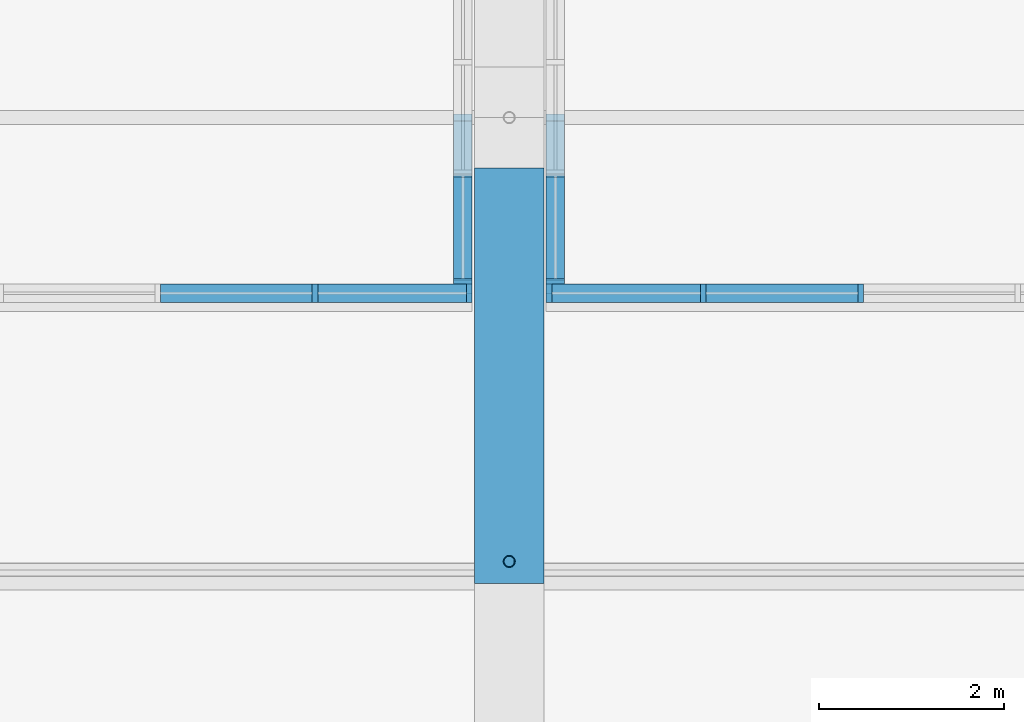
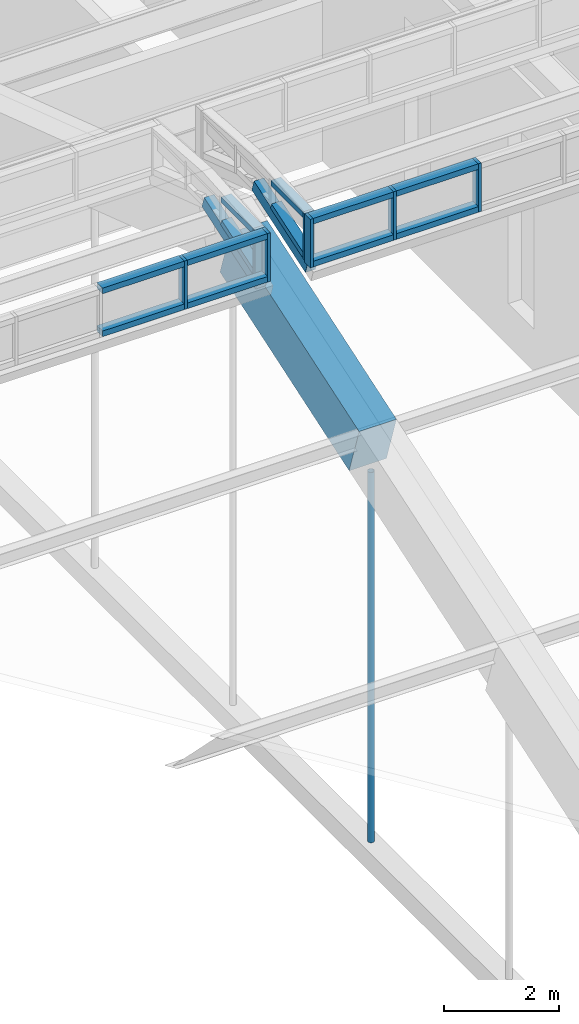
# One storey, part 75 of 149: 22 members, 1 beam, 4 elements without a shape of their own.
"""IFC4 building model written with IfcOpenShell, lengths in metres."""

import ifcopenshell
import ifcopenshell.guid

model = None  # the IFC model being written
_history = None  # IfcOwnerHistory: only IFC2X3 demands one
_inside = {}  # id of a spatial element -> (the spatial element, [elements in it])
_under = {}  # id of a project, library or spatial element -> (it, [spatial elements below it])
_declared = {}  # id of a project -> (the project, [libraries it declares])
_typed = {}  # id of a type object -> (the type object, [elements of that type])
_made_of = {}  # id of a material, layer set ... -> (it, [elements and type objects made of it])


def new_model(schema):
    """Start an empty IFC model of exactly this schema.

    Asked for "IFC4X3", IfcOpenShell would pick the latest addendum, in which some entities
    have other attributes; the version numbers below select the first issue.
    IFC2X3 requires an IfcOwnerHistory on every rooted entity: one is made here for all.
    """
    global model, _history
    if schema == "IFC4X3":
        model = ifcopenshell.file(schema_version=(4, 3, 0, 0))
    else:
        model = ifcopenshell.file(schema=schema)
    _inside.clear()
    _under.clear()
    _declared.clear()
    _typed.clear()
    _made_of.clear()
    _history = None
    if model.schema == "IFC2X3":
        org = make("IfcOrganization", Name="unknown")
        user = make(
            "IfcPersonAndOrganization",
            ThePerson=make("IfcPerson", FamilyName="unknown"),
            TheOrganization=org,
        )
        app = make(
            "IfcApplication",
            ApplicationDeveloper=org,
            Version="unknown",
            ApplicationFullName="unknown",
            ApplicationIdentifier="unknown",
        )
        _history = make(
            "IfcOwnerHistory",
            OwningUser=user,
            OwningApplication=app,
            ChangeAction="ADDED",
            CreationDate=0,
        )
    return model


def make(cls, **values):
    """One entity of the class cls with the attributes given. An attribute that is None is left unset."""
    return model.create_entity(
        cls, **{name: value for name, value in values.items() if value is not None}
    )


def rooted(cls, **values):
    """An entity with a GlobalId (a new one), such as an element, a storey or a relation."""
    return make(cls, GlobalId=ifcopenshell.guid.new(), OwnerHistory=_history, **values)


def si_unit(unit_type, name, prefix=None):
    """IfcSIUnit, for example si_unit("LENGTHUNIT", "METRE", prefix="MILLI")."""
    return make("IfcSIUnit", UnitType=unit_type, Prefix=prefix, Name=name)


def assignment(units):
    """IfcUnitAssignment: the units of a project."""
    return None if units is None else make("IfcUnitAssignment", Units=units)


def point(xyz):
    """IfcCartesianPoint."""
    return None if xyz is None else make("IfcCartesianPoint", Coordinates=xyz)


def direction(xyz):
    """IfcDirection."""
    return None if xyz is None else make("IfcDirection", DirectionRatios=xyz)


def frame(location, z_axis=None, x_axis=None):
    """IfcAxis2Placement3D, a coordinate frame: its origin and axes. An axis left out is left unset."""
    return make(
        "IfcAxis2Placement3D",
        Location=point(location),
        Axis=direction(z_axis),
        RefDirection=direction(x_axis),
    )


def frame_2d(location, x_axis=None):
    """IfcAxis2Placement2D, a coordinate frame in the plane: its origin and x axis."""
    return make(
        "IfcAxis2Placement2D", Location=point(location), RefDirection=direction(x_axis)
    )


def origin():
    """The frame at (0, 0, 0) with its axes left unset."""
    return frame((0.0, 0.0, 0.0))


def origin_2d():
    """The frame at (0, 0) in the plane with its x axis left unset."""
    return frame_2d((0.0, 0.0))


def place(relative_to, where):
    """IfcLocalPlacement: puts the frame where relative to a parent placement (None: the world)."""
    return make(
        "IfcLocalPlacement", PlacementRelTo=relative_to, RelativePlacement=where
    )


def context(
    kind, dimensions, precision=None, world=None, true_north=None, identifier=None
):
    """IfcGeometricRepresentationContext, for example the 3D "Model" context."""
    return make(
        "IfcGeometricRepresentationContext",
        ContextIdentifier=identifier,
        ContextType=kind,
        CoordinateSpaceDimension=dimensions,
        Precision=precision,
        WorldCoordinateSystem=world,
        TrueNorth=true_north,
    )


def subcontext(parent, identifier, kind, view, scale=None):
    """IfcGeometricRepresentationSubContext, for example "Body" below "Model"."""
    return make(
        "IfcGeometricRepresentationSubContext",
        ContextIdentifier=identifier,
        ContextType=kind,
        ParentContext=parent,
        TargetScale=scale,
        TargetView=view,
    )


def project(units=None, contexts=None):
    """IfcProject with its units and contexts."""
    return rooted(
        "IfcProject",
        Name="project",
        RepresentationContexts=contexts,
        UnitsInContext=assignment(units),
    )


def spatial(cls, under=None, at=None, **own):
    """A site, building, storey or space (cls), placed at a placement, below another one or the project."""
    s = rooted(cls, ObjectPlacement=at, **own)
    if under is not None:
        _under.setdefault(under.id(), (under, []))[1].append(s)
    return s


def profile(cls, at=None, kind="AREA", **sizes):
    """A parametric profile (cls). Its sizes go by their IFC names, for example OverallWidth=200.0."""
    return make(cls, ProfileType=kind, Position=at, **sizes)


def rectangle(**sizes):
    """IfcRectangleProfileDef."""
    return profile("IfcRectangleProfileDef", **sizes)


def hollow_circle(**sizes):
    """IfcCircleHollowProfileDef."""
    return profile("IfcCircleHollowProfileDef", **sizes)


def extrude(swept, where, along, depth):
    """IfcExtrudedAreaSolid: the profile swept, set in the frame where, extruded along a direction by depth."""
    return make(
        "IfcExtrudedAreaSolid",
        SweptArea=swept,
        Position=where,
        ExtrudedDirection=direction(along),
        Depth=depth,
    )


def shape(context_of_items, identifier, shape_type, items):
    """IfcShapeRepresentation: the items that make up one representation, for example the "Body"."""
    return make(
        "IfcShapeRepresentation",
        ContextOfItems=context_of_items,
        RepresentationIdentifier=identifier,
        RepresentationType=shape_type,
        Items=items,
    )


def material(Name=None, Category=None):
    """IfcMaterial."""
    return make("IfcMaterial", Name=Name, Category=Category)


def material_profile(
    of_material, cross_section, Name=None, Category=None, Priority=None
):
    """IfcMaterialProfile: a cross section and its material."""
    return make(
        "IfcMaterialProfile",
        Name=Name,
        Material=of_material,
        Profile=cross_section,
        Priority=Priority,
        Category=Category,
    )


def profile_set(profiles, Name=None, composite=None):
    """IfcMaterialProfileSet."""
    return make(
        "IfcMaterialProfileSet",
        Name=Name,
        MaterialProfiles=profiles,
        CompositeProfile=composite,
    )


def made_of(thing, what):
    """Note that an element or type object is made of a material, layer set ...; save() writes the relation."""
    if what is not None:
        _made_of.setdefault(what.id(), (what, []))[1].append(thing)
    return thing


def type_object(cls, material=None, **own):
    """A type object (cls), such as IfcWallType, which elements share."""
    return made_of(rooted(cls, **own), material)


def element(
    cls,
    number,
    at=None,
    inside=None,
    cuts=None,
    type_object=None,
    material=None,
    context=None,
    identifier="Body",
    shape_type=None,
    held_by="IfcProductDefinitionShape",
    body=None,
    shapes=None,
    **own,
):
    """One element of the class cls, such as IfcWall. Its Tag is "e" and its number.

    at: its placement. inside: the storey or other place that contains it. cuts: it is an
    opening in that element (IfcRelVoidsElement). A single representation is given by context,
    identifier, shape_type and body (its items); several are given by shapes. held_by: the class
    of the entity that holds the representations. save() writes the other relations.
    """
    e = rooted(cls, Tag="e%d" % number, ObjectPlacement=at, **own)
    if body is not None:
        shapes = [shape(context, identifier, shape_type, body)]
    if shapes is not None:
        e.Representation = make(held_by, Representations=shapes)
    if inside is not None:
        _inside.setdefault(inside.id(), (inside, []))[1].append(e)
    if cuts is not None:
        rooted(
            "IfcRelVoidsElement", RelatingBuildingElement=cuts, RelatedOpeningElement=e
        )
    if type_object is not None:
        _typed.setdefault(type_object.id(), (type_object, []))[1].append(e)
    return made_of(e, material)


def aggregate(whole, parts):
    """IfcRelAggregates: a whole, such as a stair, and the parts it consists of."""
    return rooted("IfcRelAggregates", RelatingObject=whole, RelatedObjects=parts)


def save(model, path):
    """Write the relations noted so far, then the file.

    IfcRelAggregates (storeys below a building ...), IfcRelContainedInSpatialStructure (elements
    in a storey), IfcRelDefinesByType, IfcRelAssociatesMaterial and IfcRelDeclares: one each for
    every whole, place, type object, material and project.
    """
    for whole, parts in _under.values():
        aggregate(whole, parts)
    for where, things in _inside.values():
        rooted(
            "IfcRelContainedInSpatialStructure",
            RelatedElements=things,
            RelatingStructure=where,
        )
    for kind, things in _typed.values():
        rooted("IfcRelDefinesByType", RelatedObjects=things, RelatingType=kind)
    for what, things in _made_of.values():
        rooted("IfcRelAssociatesMaterial", RelatedObjects=things, RelatingMaterial=what)
    for by, libraries in _declared.values():
        rooted("IfcRelDeclares", RelatingContext=by, RelatedDefinitions=libraries)
    model.write(path)


model = new_model("IFC4")

# Units and contexts
model_context = context("Model", 3, precision=1e-05, world=origin(), true_north=direction((0.0, 1.0)))
body_context = subcontext(model_context, "Body", "Model", "MODEL_VIEW")
ifc_project = project(units=[si_unit("LENGTHUNIT", "METRE"), si_unit("AREAUNIT", "SQUARE_METRE"), si_unit("VOLUMEUNIT", "CUBIC_METRE"), si_unit("PLANEANGLEUNIT", "RADIAN"), si_unit("MASSUNIT", "GRAM", prefix="KILO")], contexts=[model_context])

# Site, building, storey
site_placement = place(None, origin())
site = spatial("IfcSite", under=ifc_project, at=site_placement, CompositionType="ELEMENT")
building_placement = place(site_placement, origin())
building = spatial("IfcBuilding", under=site, at=building_placement, Name="Alderwick Market Hall", CompositionType="ELEMENT")
storey_placement = place(building_placement, frame((0.0, 0.0, 9.60009765625)))
storey = spatial("IfcBuildingStorey", under=building, at=storey_placement, Name="L01", CompositionType="ELEMENT", Elevation=9.60009765625)

# Beam
ifc_material_1 = material(Name="Concrete 5000 psi (f'c 35 MPa)", Category="concrete")
ifc_material_profile_1 = material_profile(ifc_material_1, rectangle(XDim=0.75, YDim=1.10009765625, at=origin_2d()), Name="RC 750x1100")
ifc_profile_set_1 = profile_set([ifc_material_profile_1], Name="Concrete 5000 psi (f'c 35 MPa)")
beam_type = type_object("IfcBeamType", Name="R Arch Rib Crown 750x1100", PredefinedType="BEAM", material=ifc_profile_set_1)
beam_placement = place(storey_placement, frame((136.800048828125, 74.336669921875, 14.78955078125), z_axis=(0.0, 0.948678138981, 0.316243242806), x_axis=(-1.0, 0.0, 0.0)))
element("IfcBeam", 1, at=beam_placement, inside=storey, type_object=beam_type, Name="Arch rib 7 chord 6", PredefinedType="BEAM", context=body_context, shape_type="SweptSolid", body=[
    extrude(rectangle(XDim=0.75, YDim=1.10009765625, at=origin_2d()), origin(), (0.0, 0.0, 1.0), 4.732421875),
])

# Curtain wall, members
ifc_material_2 = material(Name="Aluminium", Category="aluminium")
curtain_wall_type = type_object("IfcCurtainWallType", Name="R Curtain Wall Frame", PredefinedType="NOTDEFINED", material=ifc_material_2)
curtain_wall_1_placement = place(storey_placement, origin())
curtain_wall_1 = element("IfcCurtainWall", 2, at=curtain_wall_1_placement, inside=storey, type_object=curtain_wall_type, Name="Curtain wall LCW S6", PredefinedType="NOTDEFINED")
ifc_material_profile_2 = material_profile(ifc_material_2, rectangle(XDim=0.199951171875, YDim=0.06005859375, at=origin_2d()), Name="AL 60x200")
ifc_profile_set_2 = profile_set([ifc_material_profile_2], Name="Aluminium")
member_type_1 = type_object("IfcMemberType", Name="R CW Mullion 60x200", PredefinedType="MULLION", material=ifc_profile_set_2)
member_1_placement = place(storey_placement, frame((134.699951171875, 77.300048828125, 16.670166015625), z_axis=(0.0, 0.0, 1.0), x_axis=(0.0, 1.0, 0.0)))
member_1 = element("IfcMember", 3, at=member_1_placement, type_object=member_type_1, Name="LCW S6 mullion 8", PredefinedType="MULLION", context=body_context, shape_type="SweptSolid", body=[
    extrude(rectangle(XDim=0.199951171875, YDim=0.06005859375, at=origin_2d()), origin(), (0.0, 0.0, 1.0), 1.02978515625),
])
member_2_placement = place(storey_placement, frame((136.3701171875, 77.300048828125, 16.670166015625), z_axis=(0.0, 0.0, 1.0), x_axis=(0.0, 1.0, 0.0)))
member_2 = element("IfcMember", 4, at=member_2_placement, type_object=member_type_1, Name="LCW S6 mullion 9", PredefinedType="MULLION", context=body_context, shape_type="SweptSolid", body=[
    extrude(rectangle(XDim=0.199951171875, YDim=0.06005859375, at=origin_2d()), origin(), (0.0, 0.0, 1.0), 1.02978515625),
])

# Curtain wall, member
curtain_wall_2_placement = place(storey_placement, origin())
curtain_wall_2 = element("IfcCurtainWall", 5, at=curtain_wall_2_placement, inside=storey, type_object=curtain_wall_type, Name="Curtain wall LCW E6", PredefinedType="NOTDEFINED")
member_3_placement = place(storey_placement, frame((136.300048828125, 77.429931640625, 16.713623046875), z_axis=(0.0, 0.0, 1.0), x_axis=(1.0, 0.0, 0.0)))
member_3 = element("IfcMember", 6, at=member_3_placement, type_object=member_type_1, Name="LCW E6 mullion 1", PredefinedType="MULLION", context=body_context, shape_type="SweptSolid", body=[
    extrude(rectangle(XDim=0.199951171875, YDim=0.06005859375, at=origin_2d()), origin(), (0.0, 0.0, 1.0), 0.986328125),
])

# Curtain wall, members
curtain_wall_3_placement = place(storey_placement, origin())
curtain_wall_3 = element("IfcCurtainWall", 7, at=curtain_wall_3_placement, inside=storey, type_object=curtain_wall_type, Name="Curtain wall LCW S7", PredefinedType="NOTDEFINED")
member_4_placement = place(storey_placement, frame((137.22998046875, 77.300048828125, 16.670166015625), z_axis=(0.0, 0.0, 1.0), x_axis=(0.0, 1.0, 0.0)))
member_4 = element("IfcMember", 8, at=member_4_placement, type_object=member_type_1, Name="LCW S7 mullion 1", PredefinedType="MULLION", context=body_context, shape_type="SweptSolid", body=[
    extrude(rectangle(XDim=0.199951171875, YDim=0.06005859375, at=origin_2d()), origin(), (0.0, 0.0, 1.0), 1.02978515625),
])
member_5_placement = place(storey_placement, frame((138.89990234375, 77.300048828125, 16.670166015625), z_axis=(0.0, 0.0, 1.0), x_axis=(0.0, 1.0, 0.0)))
member_5 = element("IfcMember", 9, at=member_5_placement, type_object=member_type_1, Name="LCW S7 mullion 2", PredefinedType="MULLION", context=body_context, shape_type="SweptSolid", body=[
    extrude(rectangle(XDim=0.199951171875, YDim=0.06005859375, at=origin_2d()), origin(), (0.0, 0.0, 1.0), 1.02978515625),
])
member_6_placement = place(storey_placement, frame((140.60009765625, 77.300048828125, 16.670166015625), z_axis=(0.0, 0.0, 1.0), x_axis=(0.0, 1.0, 0.0)))
member_6 = element("IfcMember", 10, at=member_6_placement, type_object=member_type_1, Name="LCW S7 mullion 3", PredefinedType="MULLION", context=body_context, shape_type="SweptSolid", body=[
    extrude(rectangle(XDim=0.199951171875, YDim=0.06005859375, at=origin_2d()), origin(), (0.0, 0.0, 1.0), 1.02978515625),
])

# Curtain wall, member
curtain_wall_4_placement = place(storey_placement, origin())
curtain_wall_4 = element("IfcCurtainWall", 11, at=curtain_wall_4_placement, inside=storey, type_object=curtain_wall_type, Name="Curtain wall LCW W7", PredefinedType="NOTDEFINED")
member_7_placement = place(storey_placement, frame((137.300048828125, 77.429931640625, 16.713623046875), z_axis=(0.0, 0.0, 1.0), x_axis=(1.0, 0.0, 0.0)))
member_7 = element("IfcMember", 12, at=member_7_placement, type_object=member_type_1, Name="LCW W7 mullion 1", PredefinedType="MULLION", context=body_context, shape_type="SweptSolid", body=[
    extrude(rectangle(XDim=0.199951171875, YDim=0.06005859375, at=origin_2d()), origin(), (0.0, 0.0, 1.0), 0.986328125),
])

# Member
ifc_material_profile_3 = material_profile(ifc_material_2, rectangle(XDim=0.199951171875, YDim=0.1201171875, at=origin_2d()), Name="AL 120x200")
ifc_profile_set_3 = profile_set([ifc_material_profile_3], Name="Aluminium")
member_type_2 = type_object("IfcMemberType", Name="R CW Transom 120x200", PredefinedType="USERDEFINED", material=ifc_profile_set_3)
member_8_placement = place(storey_placement, frame((133.030029296875, 77.300048828125, 16.730224609375), z_axis=(1.0, 0.0, 0.0), x_axis=(0.0, 1.0, 0.0)))
member_8 = element("IfcMember", 13, at=member_8_placement, type_object=member_type_2, Name="LCW S6 sill transom 7", ObjectType="TRANSOM", PredefinedType="USERDEFINED", context=body_context, shape_type="SweptSolid", body=[
    extrude(rectangle(XDim=0.199951171875, YDim=0.1201171875, at=origin_2d()), origin(), (0.0, 0.0, 1.0), 1.639892578125),
])

member_9_placement = place(storey_placement, frame((133.030029296875, 77.300048828125, 17.639892578125), z_axis=(1.0, 0.0, 0.0), x_axis=(0.0, 1.0, 0.0)))
member_9 = element("IfcMember", 14, at=member_9_placement, type_object=member_type_2, Name="LCW S6 head transom 7", ObjectType="TRANSOM", PredefinedType="USERDEFINED", context=body_context, shape_type="SweptSolid", body=[
    extrude(rectangle(XDim=0.199951171875, YDim=0.1201171875, at=origin_2d()), origin(), (0.0, 0.0, 1.0), 1.639892578125),
])

member_10_placement = place(storey_placement, frame((134.72998046875, 77.300048828125, 16.730224609375), z_axis=(1.0, 0.0, 0.0), x_axis=(0.0, 1.0, 0.0)))
member_10 = element("IfcMember", 15, at=member_10_placement, type_object=member_type_2, Name="LCW S6 sill transom 8", ObjectType="TRANSOM", PredefinedType="USERDEFINED", context=body_context, shape_type="SweptSolid", body=[
    extrude(rectangle(XDim=0.199951171875, YDim=0.1201171875, at=origin_2d()), origin(), (0.0, 0.0, 1.0), 1.610107421875),
])

member_11_placement = place(storey_placement, frame((134.72998046875, 77.300048828125, 17.639892578125), z_axis=(1.0, 0.0, 0.0), x_axis=(0.0, 1.0, 0.0)))
member_11 = element("IfcMember", 16, at=member_11_placement, type_object=member_type_2, Name="LCW S6 head transom 8", ObjectType="TRANSOM", PredefinedType="USERDEFINED", context=body_context, shape_type="SweptSolid", body=[
    extrude(rectangle(XDim=0.199951171875, YDim=0.1201171875, at=origin_2d()), origin(), (0.0, 0.0, 1.0), 1.610107421875),
])

aggregate(curtain_wall_1, [member_1, member_2, member_8, member_9, member_10, member_11])

member_12_placement = place(storey_placement, frame((136.300048828125, 77.4599609375, 16.783447265625), z_axis=(0.0, 0.948662432506, 0.316290355768), x_axis=(-1.0, 0.0, 0.0)))
member_12 = element("IfcMember", 17, at=member_12_placement, type_object=member_type_2, Name="LCW E6 sill transom 1", ObjectType="TRANSOM", PredefinedType="USERDEFINED", context=body_context, shape_type="SweptSolid", body=[
    extrude(rectangle(XDim=0.199951171875, YDim=0.1201171875, at=origin_2d()), origin(), (0.0, 0.0, 1.0), 1.170166015625),
])

member_13_placement = place(storey_placement, frame((136.300048828125, 77.4599609375, 17.639892578125), z_axis=(0.0, 1.0, 0.0), x_axis=(-1.0, 0.0, 0.0)))
member_13 = element("IfcMember", 18, at=member_13_placement, type_object=member_type_2, Name="LCW E6 head transom 1", ObjectType="TRANSOM", PredefinedType="USERDEFINED", context=body_context, shape_type="SweptSolid", body=[
    extrude(rectangle(XDim=0.199951171875, YDim=0.1201171875, at=origin_2d()), origin(), (0.0, 0.0, 1.0), 1.110107421875),
])

member_14_placement = place(storey_placement, frame((137.260009765625, 77.300048828125, 16.730224609375), z_axis=(1.0, 0.0, 0.0), x_axis=(0.0, 1.0, 0.0)))
member_14 = element("IfcMember", 19, at=member_14_placement, type_object=member_type_2, Name="LCW S7 sill transom 1", ObjectType="TRANSOM", PredefinedType="USERDEFINED", context=body_context, shape_type="SweptSolid", body=[
    extrude(rectangle(XDim=0.199951171875, YDim=0.1201171875, at=origin_2d()), origin(), (0.0, 0.0, 1.0), 1.610107421875),
])

member_15_placement = place(storey_placement, frame((137.260009765625, 77.300048828125, 17.639892578125), z_axis=(1.0, 0.0, 0.0), x_axis=(0.0, 1.0, 0.0)))
member_15 = element("IfcMember", 20, at=member_15_placement, type_object=member_type_2, Name="LCW S7 head transom 1", ObjectType="TRANSOM", PredefinedType="USERDEFINED", context=body_context, shape_type="SweptSolid", body=[
    extrude(rectangle(XDim=0.199951171875, YDim=0.1201171875, at=origin_2d()), origin(), (0.0, 0.0, 1.0), 1.610107421875),
])

member_16_placement = place(storey_placement, frame((138.929931640625, 77.300048828125, 16.730224609375), z_axis=(1.0, 0.0, 0.0), x_axis=(0.0, 1.0, 0.0)))
member_16 = element("IfcMember", 21, at=member_16_placement, type_object=member_type_2, Name="LCW S7 sill transom 2", ObjectType="TRANSOM", PredefinedType="USERDEFINED", context=body_context, shape_type="SweptSolid", body=[
    extrude(rectangle(XDim=0.199951171875, YDim=0.1201171875, at=origin_2d()), origin(), (0.0, 0.0, 1.0), 1.64013671875),
])

member_17_placement = place(storey_placement, frame((138.929931640625, 77.300048828125, 17.639892578125), z_axis=(1.0, 0.0, 0.0), x_axis=(0.0, 1.0, 0.0)))
member_17 = element("IfcMember", 22, at=member_17_placement, type_object=member_type_2, Name="LCW S7 head transom 2", ObjectType="TRANSOM", PredefinedType="USERDEFINED", context=body_context, shape_type="SweptSolid", body=[
    extrude(rectangle(XDim=0.199951171875, YDim=0.1201171875, at=origin_2d()), origin(), (0.0, 0.0, 1.0), 1.64013671875),
])

aggregate(curtain_wall_3, [member_4, member_5, member_6, member_14, member_15, member_16, member_17])

member_18_placement = place(storey_placement, frame((137.300048828125, 77.4599609375, 16.783447265625), z_axis=(0.0, 0.948662432506, 0.316290355768), x_axis=(-1.0, 0.0, 0.0)))
member_18 = element("IfcMember", 23, at=member_18_placement, type_object=member_type_2, Name="LCW W7 sill transom 1", ObjectType="TRANSOM", PredefinedType="USERDEFINED", context=body_context, shape_type="SweptSolid", body=[
    extrude(rectangle(XDim=0.199951171875, YDim=0.1201171875, at=origin_2d()), origin(), (0.0, 0.0, 1.0), 1.170166015625),
])

member_19_placement = place(storey_placement, frame((137.300048828125, 77.4599609375, 17.639892578125), z_axis=(0.0, 1.0, 0.0), x_axis=(-1.0, 0.0, 0.0)))
member_19 = element("IfcMember", 24, at=member_19_placement, type_object=member_type_2, Name="LCW W7 head transom 1", ObjectType="TRANSOM", PredefinedType="USERDEFINED", context=body_context, shape_type="SweptSolid", body=[
    extrude(rectangle(XDim=0.199951171875, YDim=0.1201171875, at=origin_2d()), origin(), (0.0, 0.0, 1.0), 1.110107421875),
])

ifc_material_3 = material(Name="Steel ASTM A500 Grade C", Category="steel")
ifc_material_profile_4 = material_profile(ifc_material_3, hollow_circle(Radius=0.0634765625, WallThickness=0.005859375, at=origin_2d()), Name="HSS5.000x0.250")
ifc_profile_set_4 = profile_set([ifc_material_profile_4], Name="Steel ASTM A500 Grade C")
member_type_3 = type_object("IfcMemberType", Name="R Hanger HSS5.000x0.250", PredefinedType="POST", material=ifc_profile_set_4)
member_20_placement = place(storey_placement, frame((136.800048828125, 74.39990234375, 6.35302734375), z_axis=(0.0, 0.0, 1.0), x_axis=(1.0, 0.0, 0.0)))
element("IfcMember", 25, at=member_20_placement, inside=storey, type_object=member_type_3, Name="Arch hanger 7.5", PredefinedType="POST", context=body_context, shape_type="SweptSolid", body=[
    extrude(hollow_circle(Radius=0.0634765625, WallThickness=0.005859375, at=origin_2d()), origin(), (0.0, 0.0, 1.0), 7.856689453125),
])

ifc_material_4 = material(Name="Steel ASTM A572 Grade 50", Category="steel")
ifc_material_profile_5 = material_profile(ifc_material_4, rectangle(XDim=0.199951171875, YDim=0.25, at=origin_2d()), Name="Steel plate curb 200x250")
ifc_profile_set_5 = profile_set([ifc_material_profile_5], Name="Steel ASTM A572 Grade 50")
member_type_4 = type_object("IfcMemberType", Name="R Lantern Curb 200x250", PredefinedType="MEMBER", material=ifc_profile_set_5)
member_21_placement = place(storey_placement, frame((136.300048828125, 77.335205078125, 16.5849609375), z_axis=(0.0, 0.948683298051, 0.316227766017), x_axis=(-1.0, 0.0, 0.0)))
member_21 = element("IfcMember", 26, at=member_21_placement, type_object=member_type_4, Name="Lantern end curb E6.1", PredefinedType="MEMBER", context=body_context, shape_type="SweptSolid", body=[
    extrude(rectangle(XDim=0.199951171875, YDim=0.25, at=origin_2d()), origin(), (0.0, 0.0, 1.0), 1.965576171875),
])

aggregate(curtain_wall_2, [member_3, member_12, member_13, member_21])

member_22_placement = place(storey_placement, frame((137.300048828125, 77.335205078125, 16.5849609375), z_axis=(0.0, 0.948683298051, 0.316227766017), x_axis=(-1.0, 0.0, 0.0)))
member_22 = element("IfcMember", 27, at=member_22_placement, type_object=member_type_4, Name="Lantern end curb W7.1", PredefinedType="MEMBER", context=body_context, shape_type="SweptSolid", body=[
    extrude(rectangle(XDim=0.199951171875, YDim=0.25, at=origin_2d()), origin(), (0.0, 0.0, 1.0), 1.965576171875),
])

aggregate(curtain_wall_4, [member_7, member_18, member_19, member_22])

save(model, "model.ifc")
